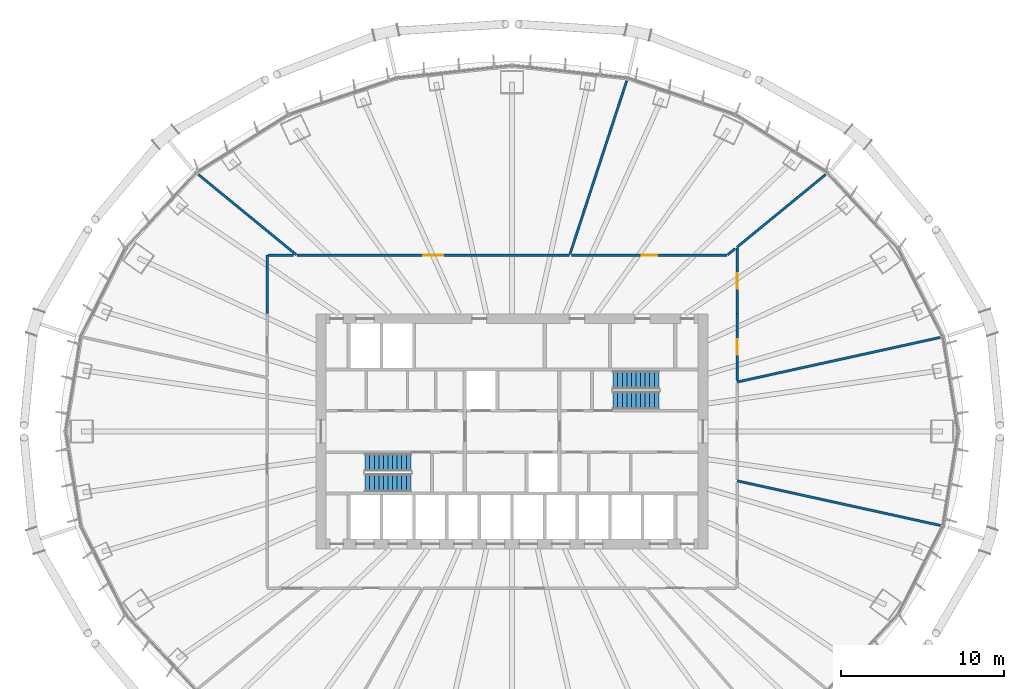
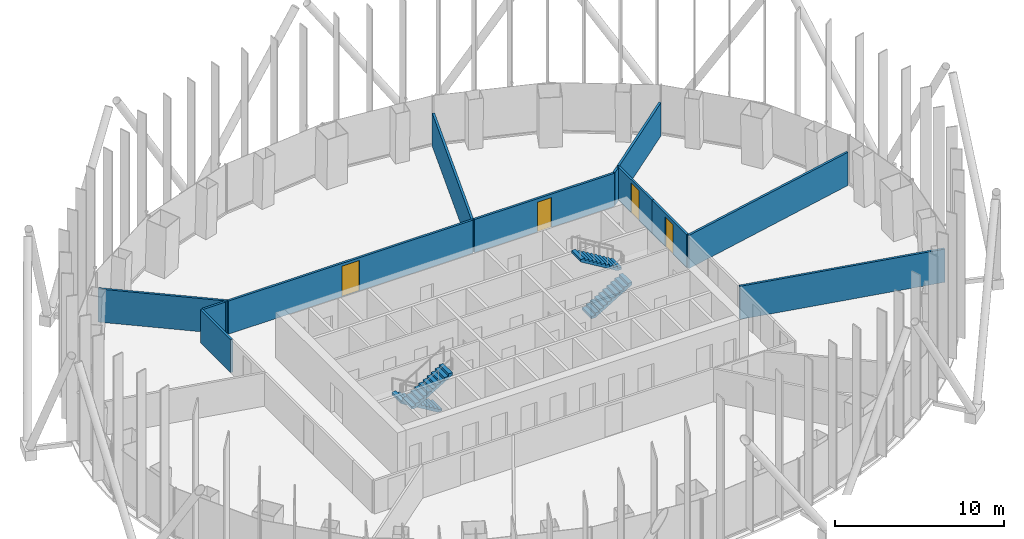
# One storey, part 9 of 19: 12 walls, 4 doors, 4 stair flights, 4 openings, 2 elements without a shape of their own.
"""IFC4 building model written with IfcOpenShell, lengths in metres."""

from ifc_helpers import new_model, si_unit, direction, frame, frame_2d, origin, place, context, subcontext, project, spatial, polyline, rectangle, outline, extrude, material, layer, layer_set, type_object, element, fill, aggregate, save


model = new_model("IFC4")

# Units and contexts
model_context = context("Model", 3, precision=1e-05, world=origin(), true_north=direction((0.0, 1.0)))
body_context = subcontext(model_context, "Body", "Model", "MODEL_VIEW")
ifc_project = project(units=[si_unit("LENGTHUNIT", "METRE"), si_unit("AREAUNIT", "SQUARE_METRE"), si_unit("VOLUMEUNIT", "CUBIC_METRE"), si_unit("PLANEANGLEUNIT", "RADIAN"), si_unit("MASSUNIT", "GRAM", prefix="KILO")], contexts=[model_context])

# Site, building, storey
site_placement = place(None, origin())
site = spatial("IfcSite", under=ifc_project, at=site_placement, CompositionType="ELEMENT")
building_placement = place(site_placement, origin())
building = spatial("IfcBuilding", under=site, at=building_placement, Name="Siaravel Broadcast Tower", CompositionType="ELEMENT")
storey_placement = place(building_placement, frame((0.0, 0.0, 59.300048828125)))
storey = spatial("IfcBuildingStorey", under=building, at=storey_placement, Name="L13", CompositionType="ELEMENT", Elevation=59.300048828125)

# Wall, opening, door
ifc_material_1 = material(Name="Gypsum board partition", Category="gypsum")
ifc_layer_1 = layer(ifc_material_1, 0.14990234375)
ifc_layer_set_1 = layer_set([ifc_layer_1], Name="Gypsum board partition")
wall_type_1 = type_object("IfcWallType", Name="Corridor wall 150", PredefinedType="PARTITIONING", material=ifc_layer_set_1)
wall_1_placement = place(storey_placement, frame((3.532958984375, 10.800048828125, 0.0), z_axis=(0.0, 0.0, 1.0), x_axis=(-1.0, 0.0, 0.0)))
wall_1 = element("IfcWall", 1, at=wall_1_placement, inside=storey, type_object=wall_type_1, Name="L13 partition 1", PredefinedType="PARTITIONING", context=body_context, shape_type="SweptSolid", body=[
    extrude(rectangle(XDim=16.718017578125, YDim=0.14990234375, at=frame_2d((8.35888671875, 0.0))), origin(), (0.0, 0.0, 1.0), 2.39990234375),
])
opening_1_placement = place(wall_1_placement, frame((7.759033203125, 0.0, 0.0)))
opening_1 = element("IfcOpeningElement", 2, at=opening_1_placement, cuts=wall_1, Name="Opening L13-007", PredefinedType="OPENING", context=body_context, shape_type="SweptSolid", body=[
    extrude(rectangle(XDim=1.199951171875, YDim=2.199951171875, at=frame_2d((0.60009765625, 1.10009765625))), frame((0.0, 0.0849609375, 0.0), z_axis=(0.0, -1.0, 0.0), x_axis=(1.0, 0.0, 0.0)), (0.0, 0.0, 1.0), 0.169921875),
])
ifc_material_2 = material(Name="Timber veneer", Category="wood")
door_type_1 = type_object("IfcDoorType", Name="Office double door 1200", OperationType="DOUBLE_DOOR_SINGLE_SWING", PredefinedType="DOOR", material=ifc_material_2)
door_1_placement = place(opening_1_placement, origin())
door_1 = element("IfcDoor", 3, at=door_1_placement, inside=storey, type_object=door_type_1, Name="L13 door to Open plan newsroom", OperationType="DOUBLE_DOOR_SINGLE_SWING", OverallHeight=2.199951171875, OverallWidth=1.199951171875, PredefinedType="DOOR", context=body_context, shape_type="SweptSolid", body=[
    extrude(rectangle(XDim=1.199951171875, YDim=2.199951171875, at=frame_2d((0.60009765625, 1.10009765625))), frame((0.0, 0.02490234375, 0.0), z_axis=(0.0, -1.0, 0.0), x_axis=(1.0, 0.0, 0.0)), (0.0, 0.0, 1.0), 0.050048828125),
])
fill(opening_1, door_1)

wall_2_placement = place(storey_placement, frame((13.18505859375, 10.800048828125, 0.0), z_axis=(0.0, 0.0, 1.0), x_axis=(-1.0, 0.0, 0.0)))
wall_2 = element("IfcWall", 4, at=wall_2_placement, inside=storey, type_object=wall_type_1, Name="L13 partition 12", PredefinedType="PARTITIONING", context=body_context, shape_type="SweptSolid", body=[
    extrude(rectangle(XDim=9.546630859375, YDim=0.14990234375, at=frame_2d((4.7734375, 0.0))), origin(), (0.0, 0.0, 1.0), 2.39990234375),
])
opening_2_placement = place(wall_2_placement, frame((4.29833984375, 0.0, 0.0)))
opening_2 = element("IfcOpeningElement", 5, at=opening_2_placement, cuts=wall_2, Name="Opening L13-006", PredefinedType="OPENING", context=body_context, shape_type="SweptSolid", body=[
    extrude(rectangle(XDim=0.949951171875, YDim=2.14990234375, at=frame_2d((0.47509765625, 1.074951171875))), frame((0.0, 0.0849609375, 0.0), z_axis=(0.0, -1.0, 0.0), x_axis=(1.0, 0.0, 0.0)), (0.0, 0.0, 1.0), 0.169921875),
])
door_type_2 = type_object("IfcDoorType", Name="Office door 950", OperationType="SINGLE_SWING_LEFT", PredefinedType="DOOR", material=ifc_material_2)
door_2_placement = place(opening_2_placement, origin())
door_2 = element("IfcDoor", 6, at=door_2_placement, inside=storey, type_object=door_type_2, Name="L13 door to Graphics studio", OperationType="SINGLE_SWING_RIGHT", OverallHeight=2.14990234375, OverallWidth=0.949951171875, PredefinedType="DOOR", context=body_context, shape_type="SweptSolid", body=[
    extrude(rectangle(XDim=0.949951171875, YDim=2.14990234375, at=frame_2d((0.47509765625, 1.074951171875))), frame((0.0, 0.02490234375, 0.0), z_axis=(0.0, -1.0, 0.0), x_axis=(1.0, 0.0, 0.0)), (0.0, 0.0, 1.0), 0.050048828125),
])
fill(opening_2, door_2)

wall_3_placement = place(storey_placement, frame((13.800048828125, 3.1240234375, 0.0), z_axis=(0.0, 0.0, 1.0), x_axis=(0.0, 1.0, 0.0)))
wall_3 = element("IfcWall", 7, at=wall_3_placement, inside=storey, type_object=wall_type_1, Name="L13 partition 18", PredefinedType="PARTITIONING", context=body_context, shape_type="SweptSolid", body=[
    extrude(rectangle(XDim=4.087890625, YDim=0.14990234375, at=frame_2d((2.0439453125, 0.0))), origin(), (0.0, 0.0, 1.0), 2.39990234375),
])
opening_3_placement = place(wall_3_placement, frame((1.569091796875, 0.0, 0.0)))
opening_3 = element("IfcOpeningElement", 8, at=opening_3_placement, cuts=wall_3, Name="Opening L13-004", PredefinedType="OPENING", context=body_context, shape_type="SweptSolid", body=[
    extrude(rectangle(XDim=0.949951171875, YDim=2.14990234375, at=frame_2d((0.47509765625, 1.074951171875))), frame((0.0, 0.0849609375, 0.0), z_axis=(0.0, -1.0, 0.0), x_axis=(1.0, 0.0, 0.0)), (0.0, 0.0, 1.0), 0.169921875),
])
door_3_placement = place(opening_3_placement, origin())
door_3 = element("IfcDoor", 9, at=door_3_placement, inside=storey, type_object=door_type_2, Name="L13 door to Graphics studio", OperationType="SINGLE_SWING_RIGHT", OverallHeight=2.14990234375, OverallWidth=0.949951171875, PredefinedType="DOOR", context=body_context, shape_type="SweptSolid", body=[
    extrude(rectangle(XDim=0.949951171875, YDim=2.14990234375, at=frame_2d((0.47509765625, 1.074951171875))), frame((0.0, 0.02490234375, 0.0), z_axis=(0.0, -1.0, 0.0), x_axis=(1.0, 0.0, 0.0)), (0.0, 0.0, 1.0), 0.050048828125),
])
fill(opening_3, door_3)

wall_4_placement = place(storey_placement, frame((13.800048828125, 7.212890625, 0.0), z_axis=(0.0, 0.0, 1.0), x_axis=(0.0, 1.0, 0.0)))
wall_4 = element("IfcWall", 10, at=wall_4_placement, inside=storey, type_object=wall_type_1, Name="L13 partition 19", PredefinedType="PARTITIONING", context=body_context, shape_type="SweptSolid", body=[
    extrude(rectangle(XDim=4.02099609375, YDim=0.14990234375, at=frame_2d((2.010498046875, 0.0))), origin(), (0.0, 0.0, 1.0), 2.39990234375),
])
opening_4_placement = place(wall_4_placement, frame((1.535400390625, 0.0, 0.0)))
opening_4 = element("IfcOpeningElement", 11, at=opening_4_placement, cuts=wall_4, Name="Opening L13-005", PredefinedType="OPENING", context=body_context, shape_type="SweptSolid", body=[
    extrude(rectangle(XDim=0.949951171875, YDim=2.14990234375, at=frame_2d((0.47509765625, 1.074951171875))), frame((0.0, 0.0849609375, 0.0), z_axis=(0.0, -1.0, 0.0), x_axis=(1.0, 0.0, 0.0)), (0.0, 0.0, 1.0), 0.169921875),
])
door_4_placement = place(opening_4_placement, origin())
door_4 = element("IfcDoor", 12, at=door_4_placement, inside=storey, type_object=door_type_2, Name="L13 door to Graphics studio", OperationType="SINGLE_SWING_LEFT", OverallHeight=2.14990234375, OverallWidth=0.949951171875, PredefinedType="DOOR", context=body_context, shape_type="SweptSolid", body=[
    extrude(rectangle(XDim=0.949951171875, YDim=2.14990234375, at=frame_2d((0.47509765625, 1.074951171875))), frame((0.0, 0.02490234375, 0.0), z_axis=(0.0, -1.0, 0.0), x_axis=(1.0, 0.0, 0.0)), (0.0, 0.0, 1.0), 0.050048828125),
])
fill(opening_4, door_4)

# Walls
wall_5_placement = place(storey_placement, frame((-15.0, 10.800048828125, 0.0), z_axis=(0.0, 0.0, 1.0), x_axis=(0.0, -1.0, 0.0)))
element("IfcWall", 13, at=wall_5_placement, inside=storey, type_object=wall_type_1, Name="L13 partition 21", PredefinedType="PARTITIONING", context=body_context, shape_type="SweptSolid", body=[
    extrude(rectangle(XDim=3.587158203125, YDim=0.14990234375, at=frame_2d((1.79345703125, 0.0))), origin(), (0.0, 0.0, 1.0), 2.39990234375),
])
wall_6_placement = place(storey_placement, frame((-13.39697265625, 10.800048828125, 0.0), z_axis=(0.0, 0.0, 1.0), x_axis=(-1.0, 0.0, 0.0)))
element("IfcWall", 14, at=wall_6_placement, inside=storey, type_object=wall_type_1, Name="L13 partition 27", PredefinedType="PARTITIONING", context=body_context, shape_type="SweptSolid", body=[
    extrude(rectangle(XDim=1.526123046875, YDim=0.14990234375, at=frame_2d((0.76318359375, 0.0))), origin(), (0.0, 0.0, 1.0), 2.39990234375),
])
wall_7_placement = place(storey_placement, frame((13.67578125, 11.201904296875, 0.0), z_axis=(0.0, 0.0, 1.0), x_axis=(-0.773566552, -0.63371507, 0.0)))
element("IfcWall", 15, at=wall_7_placement, inside=storey, type_object=wall_type_1, Name="L13 partition 28", PredefinedType="PARTITIONING", context=body_context, shape_type="SweptSolid", body=[
    extrude(rectangle(XDim=0.584716796875, YDim=0.14990234375, at=frame_2d((0.29248046875, 0.0))), origin(), (0.0, 0.0, 1.0), 2.39990234375),
])
ifc_layer_2 = layer(ifc_material_1, 0.14990234375)
ifc_layer_set_2 = layer_set([ifc_layer_2], Name="Gypsum board partition")
wall_type_2 = type_object("IfcWallType", Name="Room partition 150", PredefinedType="PARTITIONING", material=ifc_layer_set_2)
wall_8_placement = place(storey_placement, frame((26.25048828125, -5.761474609375, 0.0), z_axis=(0.0, 0.0, 1.0), x_axis=(-0.976750213, 0.214380554, 0.0)))
element("IfcWall", 16, at=wall_8_placement, inside=storey, type_object=wall_type_2, Name="L13 partition 3", PredefinedType="PARTITIONING", context=body_context, shape_type="SweptSolid", body=[
    extrude(rectangle(XDim=12.746826171875, YDim=0.14990234375, at=frame_2d((6.37353515625, 0.0))), origin(), (0.0, 0.0, 1.0), 2.39990234375),
])
wall_9_placement = place(storey_placement, frame((26.249267578125, 5.76123046875, 0.0), z_axis=(0.0, 0.0, 1.0), x_axis=(-0.976749822, -0.214382335, 0.0)))
element("IfcWall", 17, at=wall_9_placement, inside=storey, type_object=wall_type_2, Name="L13 partition 4", PredefinedType="PARTITIONING", context=body_context, shape_type="SweptSolid", body=[
    extrude(rectangle(XDim=12.74560546875, YDim=0.14990234375, at=frame_2d((6.372802734375, 0.0))), origin(), (0.0, 0.0, 1.0), 2.39990234375),
])
wall_10_placement = place(storey_placement, frame((7.027587890625, 21.48291015625, 0.0), z_axis=(0.0, 0.0, 1.0), x_axis=(-0.31091662, -0.950437192, 0.0)))
element("IfcWall", 18, at=wall_10_placement, inside=storey, type_object=wall_type_2, Name="L13 partition 8", PredefinedType="PARTITIONING", context=body_context, shape_type="SweptSolid", body=[
    extrude(rectangle(XDim=11.166748046875, YDim=0.14990234375, at=frame_2d((5.58349609375, 0.0))), origin(), (0.0, 0.0, 1.0), 2.39990234375),
])
wall_11_placement = place(storey_placement, frame((-19.20849609375, 15.73388671875, 0.0), z_axis=(0.0, 0.0, 1.0), x_axis=(0.773597247, -0.633677598, 0.0)))
element("IfcWall", 19, at=wall_11_placement, inside=storey, type_object=wall_type_2, Name="L13 partition 13", PredefinedType="PARTITIONING", context=body_context, shape_type="SweptSolid", body=[
    extrude(rectangle(XDim=7.73681640625, YDim=0.14990234375, at=frame_2d((3.868408203125, 0.0))), origin(), (0.0, 0.0, 1.0), 2.39990234375),
])
wall_12_placement = place(storey_placement, frame((19.20703125, 15.732666015625, 0.0), z_axis=(0.0, 0.0, 1.0), x_axis=(-0.773587592, -0.633689385, 0.0)))
element("IfcWall", 20, at=wall_12_placement, inside=storey, type_object=wall_type_2, Name="L13 partition 14", PredefinedType="PARTITIONING", context=body_context, shape_type="SweptSolid", body=[
    extrude(rectangle(XDim=7.0048828125, YDim=0.14990234375, at=frame_2d((3.50244140625, 0.0))), origin(), (0.0, 0.0, 1.0), 2.39990234375),
])

# Stair, stair flights
ifc_material_3 = material(Name="Concrete C40/50", Category="concrete")
stair_type = type_object("IfcStairType", Name="Core exit stair", PredefinedType="HALF_TURN_STAIR", material=ifc_material_3)
stair_1_placement = place(storey_placement, origin())
stair_1 = element("IfcStair", 21, at=stair_1_placement, inside=storey, type_object=stair_type, Name="L13 Exit stair ST-1", PredefinedType="HALF_TURN_STAIR")
stair_flight_type = type_object("IfcStairFlightType", Name="Stair flight 1100", PredefinedType="STRAIGHT", material=ifc_material_3)
stair_flight_1_placement = place(storey_placement, frame((-6.199951171875, -1.89990234375, 0.0), z_axis=(0.0, 0.0, 1.0), x_axis=(-1.0, 0.0, 0.0)))
stair_flight_1 = element("IfcStairFlight", 22, at=stair_flight_1_placement, type_object=stair_flight_type, Name="ST-1 flight 1", NumberOfRisers=11, NumberOfTreads=10, PredefinedType="STRAIGHT", RiserHeight=0.1681818, TreadLength=0.28, context=body_context, shape_type="SweptSolid", body=[
    extrude(outline(polyline([(0.0, 0.0), (0.0, 0.168212890625), (0.280029296875, 0.168212890625), (0.280029296875, 0.33642578125), (0.56005859375, 0.33642578125), (0.56005859375, 0.504638671875), (0.840087890625, 0.504638671875), (0.840087890625, 0.672607421875), (1.1201171875, 0.672607421875), (1.1201171875, 0.8408203125), (1.39990234375, 0.8408203125), (1.39990234375, 1.009033203125), (1.679931640625, 1.009033203125), (1.679931640625, 1.17724609375), (1.9599609375, 1.17724609375), (1.9599609375, 1.345458984375), (2.239990234375, 1.345458984375), (2.239990234375, 1.513671875), (2.52001953125, 1.513671875), (2.52001953125, 1.681884765625), (2.800048828125, 1.681884765625), (2.800048828125, 1.85009765625), (2.800048828125, 1.5068359375), (0.291015625, 0.0), (0.0, 0.0)])), frame((0.0, 0.550048828125, 0.0), z_axis=(0.0, -1.0, 0.0), x_axis=(1.0, 0.0, 0.0)), (0.0, 0.0, 1.0), 1.10009765625),
])
stair_flight_2_placement = place(storey_placement, frame((-9.0, -3.14990234375, 1.849853515625), z_axis=(0.0, 0.0, 1.0), x_axis=(1.0, 0.0, 0.0)))
stair_flight_2 = element("IfcStairFlight", 23, at=stair_flight_2_placement, type_object=stair_flight_type, Name="ST-1 flight 2", NumberOfRisers=11, NumberOfTreads=10, PredefinedType="STRAIGHT", RiserHeight=0.1681818, TreadLength=0.28, context=body_context, shape_type="SweptSolid", body=[
    extrude(outline(polyline([(0.0, 0.0), (0.0, 0.168212890625), (0.280029296875, 0.168212890625), (0.280029296875, 0.33642578125), (0.56005859375, 0.33642578125), (0.56005859375, 0.504638671875), (0.840087890625, 0.504638671875), (0.840087890625, 0.672607421875), (1.1201171875, 0.672607421875), (1.1201171875, 0.8408203125), (1.39990234375, 0.8408203125), (1.39990234375, 1.009033203125), (1.679931640625, 1.009033203125), (1.679931640625, 1.17724609375), (1.9599609375, 1.17724609375), (1.9599609375, 1.345458984375), (2.239990234375, 1.345458984375), (2.239990234375, 1.513671875), (2.52001953125, 1.513671875), (2.52001953125, 1.681884765625), (2.800048828125, 1.681884765625), (2.800048828125, 1.85009765625), (2.800048828125, 1.5068359375), (0.291015625, 0.0), (0.0, 0.0)])), frame((0.0, 0.550048828125, 0.0), z_axis=(0.0, -1.0, 0.0), x_axis=(1.0, 0.0, 0.0)), (0.0, 0.0, 1.0), 1.10009765625),
])
aggregate(stair_1, [stair_flight_1, stair_flight_2])

stair_2_placement = place(storey_placement, origin())
stair_2 = element("IfcStair", 24, at=stair_2_placement, inside=storey, type_object=stair_type, Name="L13 Exit stair ST-2", PredefinedType="HALF_TURN_STAIR")
stair_flight_3_placement = place(storey_placement, frame((6.199951171875, 1.89990234375, 0.0), z_axis=(0.0, 0.0, 1.0), x_axis=(1.0, 0.0, 0.0)))
stair_flight_3 = element("IfcStairFlight", 25, at=stair_flight_3_placement, type_object=stair_flight_type, Name="ST-2 flight 1", NumberOfRisers=11, NumberOfTreads=10, PredefinedType="STRAIGHT", RiserHeight=0.1681818, TreadLength=0.28, context=body_context, shape_type="SweptSolid", body=[
    extrude(outline(polyline([(0.0, 0.0), (0.0, 0.168212890625), (0.280029296875, 0.168212890625), (0.280029296875, 0.33642578125), (0.56005859375, 0.33642578125), (0.56005859375, 0.504638671875), (0.840087890625, 0.504638671875), (0.840087890625, 0.672607421875), (1.1201171875, 0.672607421875), (1.1201171875, 0.8408203125), (1.39990234375, 0.8408203125), (1.39990234375, 1.009033203125), (1.679931640625, 1.009033203125), (1.679931640625, 1.17724609375), (1.9599609375, 1.17724609375), (1.9599609375, 1.345458984375), (2.239990234375, 1.345458984375), (2.239990234375, 1.513671875), (2.52001953125, 1.513671875), (2.52001953125, 1.681884765625), (2.800048828125, 1.681884765625), (2.800048828125, 1.85009765625), (2.800048828125, 1.5068359375), (0.291015625, 0.0), (0.0, 0.0)])), frame((0.0, 0.550048828125, 0.0), z_axis=(0.0, -1.0, 0.0), x_axis=(1.0, 0.0, 0.0)), (0.0, 0.0, 1.0), 1.10009765625),
])
stair_flight_4_placement = place(storey_placement, frame((9.0, 3.14990234375, 1.849853515625), z_axis=(0.0, 0.0, 1.0), x_axis=(-1.0, 0.0, 0.0)))
stair_flight_4 = element("IfcStairFlight", 26, at=stair_flight_4_placement, type_object=stair_flight_type, Name="ST-2 flight 2", NumberOfRisers=11, NumberOfTreads=10, PredefinedType="STRAIGHT", RiserHeight=0.1681818, TreadLength=0.28, context=body_context, shape_type="SweptSolid", body=[
    extrude(outline(polyline([(0.0, 0.0), (0.0, 0.168212890625), (0.280029296875, 0.168212890625), (0.280029296875, 0.33642578125), (0.56005859375, 0.33642578125), (0.56005859375, 0.504638671875), (0.840087890625, 0.504638671875), (0.840087890625, 0.672607421875), (1.1201171875, 0.672607421875), (1.1201171875, 0.8408203125), (1.39990234375, 0.8408203125), (1.39990234375, 1.009033203125), (1.679931640625, 1.009033203125), (1.679931640625, 1.17724609375), (1.9599609375, 1.17724609375), (1.9599609375, 1.345458984375), (2.239990234375, 1.345458984375), (2.239990234375, 1.513671875), (2.52001953125, 1.513671875), (2.52001953125, 1.681884765625), (2.800048828125, 1.681884765625), (2.800048828125, 1.85009765625), (2.800048828125, 1.5068359375), (0.291015625, 0.0), (0.0, 0.0)])), frame((0.0, 0.550048828125, 0.0), z_axis=(0.0, -1.0, 0.0), x_axis=(1.0, 0.0, 0.0)), (0.0, 0.0, 1.0), 1.10009765625),
])
aggregate(stair_2, [stair_flight_3, stair_flight_4])

save(model, "model.ifc")
